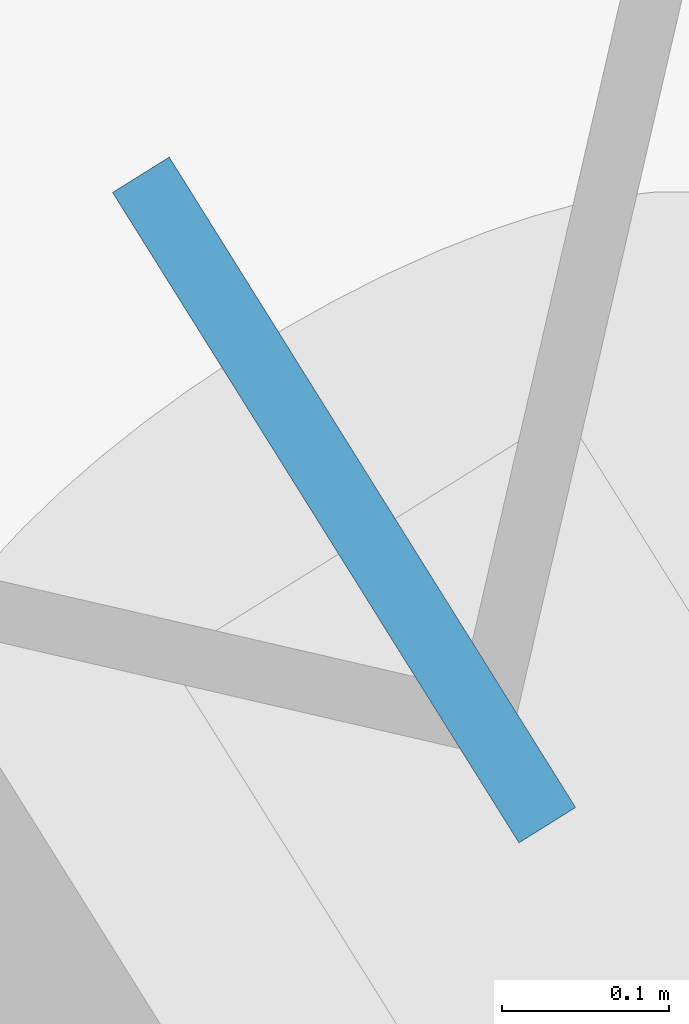
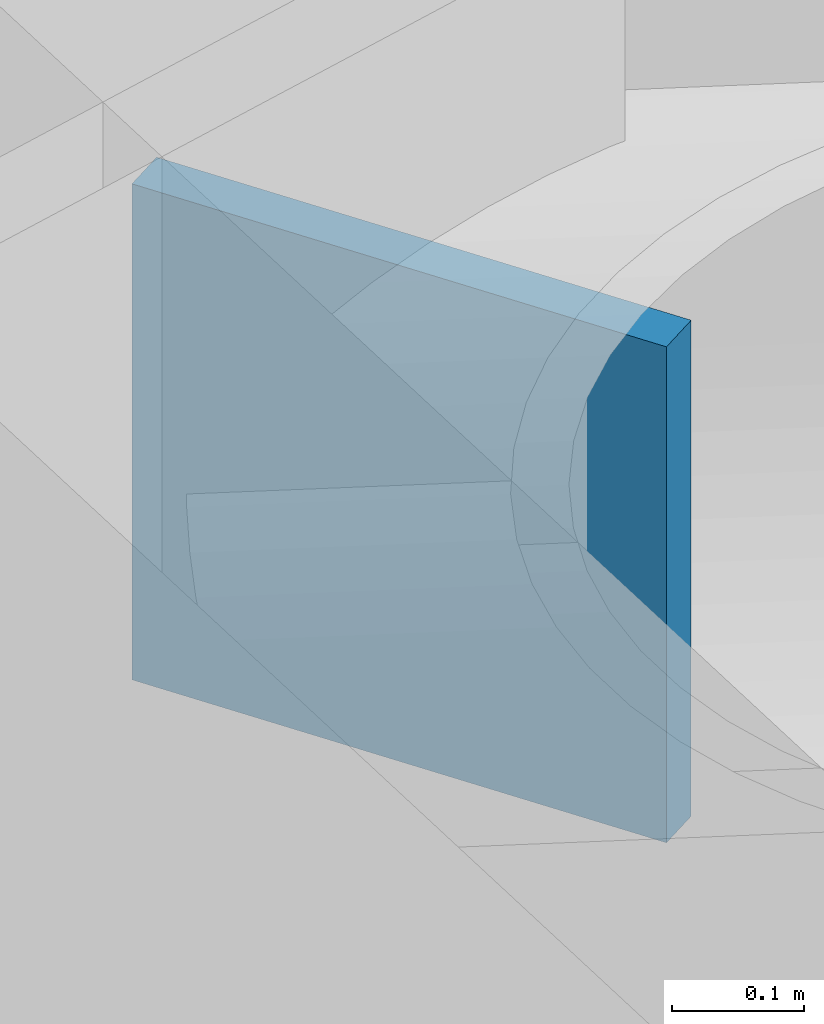
# One storey, part 17 of 18: 1 discrete accessory.
"""IFC4 building model written with IfcOpenShell, lengths in metres."""

from ifc_helpers import new_model, si_unit, direction, frame, origin, origin_2d, place, context, subcontext, project, spatial, rectangle, extrude, material, type_object, element, save


model = new_model("IFC4")

# Units and contexts
model_context = context("Model", 3, precision=1e-05, world=origin(), true_north=direction((0.0, 1.0)))
body_context = subcontext(model_context, "Body", "Model", "MODEL_VIEW")
ifc_project = project(units=[si_unit("LENGTHUNIT", "METRE"), si_unit("AREAUNIT", "SQUARE_METRE"), si_unit("VOLUMEUNIT", "CUBIC_METRE"), si_unit("PLANEANGLEUNIT", "RADIAN"), si_unit("MASSUNIT", "GRAM", prefix="KILO")], contexts=[model_context])

# Site, building, storey
site_placement = place(None, origin())
site = spatial("IfcSite", under=ifc_project, at=site_placement, CompositionType="ELEMENT")
building_placement = place(site_placement, origin())
building = spatial("IfcBuilding", under=site, at=building_placement, Name="Tavrogorsk Clinical Tower", CompositionType="ELEMENT")
storey_placement = place(building_placement, frame((0.0, 0.0, 51.39990234375)))
storey = spatial("IfcBuildingStorey", under=building, at=storey_placement, Name="L10", CompositionType="ELEMENT", Elevation=51.39990234375)

# Discrete accessory
ifc_material = material(Name="Structural steel S440", Category="steel")
discrete_accessory_type = type_object("IfcDiscreteAccessoryType", Name="GussetPlateBracket_25", PredefinedType="BRACKET", material=ifc_material)
discrete_accessory_placement = place(storey_placement, frame((36.65380859375, 14.481689453125, 0.212646484375), z_axis=(0.0, 0.0, 1.0), x_axis=(0.529919264233, -0.848048096156, 0.0)))
element("IfcDiscreteAccessory", 1, at=discrete_accessory_placement, inside=storey, type_object=discrete_accessory_type, Name="L10 Brace Gusset Plate EXOCRN-L10-2-A", PredefinedType="BRACKET", context=body_context, shape_type="SweptSolid", body=[
    extrude(rectangle(XDim=0.4599609375, YDim=0.0400390625, at=origin_2d()), origin(), (0.0, 0.0, 1.0), 0.4599609375),
])

save(model, "model.ifc")
